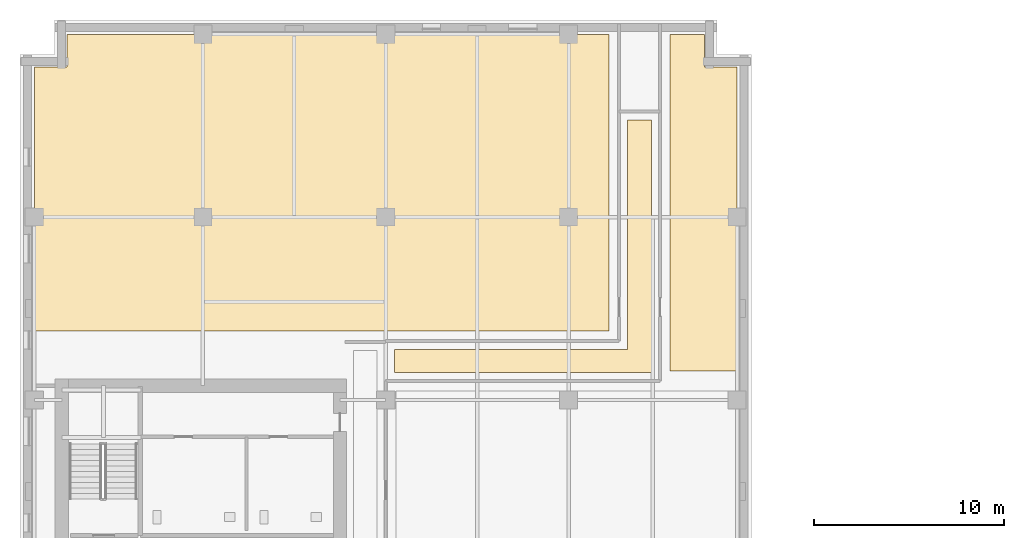
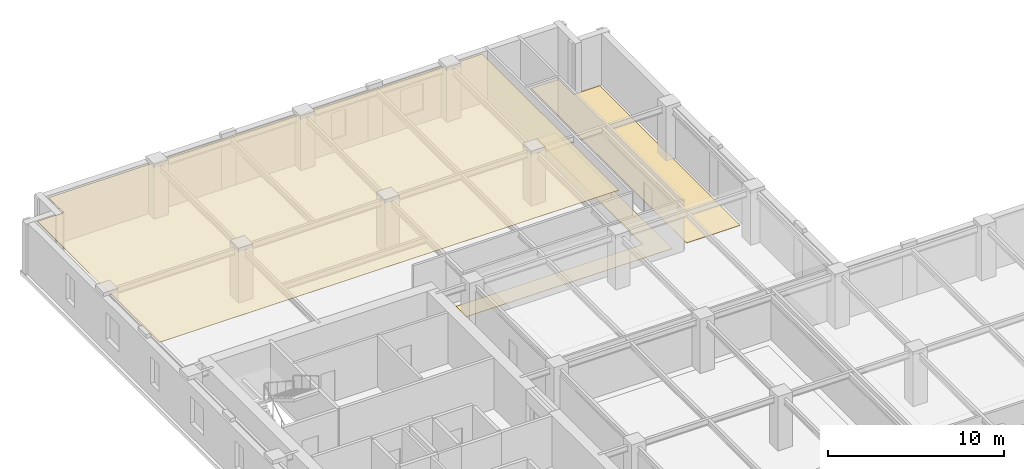
# One storey, part 12 of 13: 3 coverings.
"""IFC4 building model written with IfcOpenShell, lengths in metres."""

from ifc_helpers import new_model, si_unit, direction, frame, origin, place, context, subcontext, project, spatial, polyline, outline, extrude, material, layer, layer_set, type_object, element, save


model = new_model("IFC4")

# Units and contexts
model_context = context("Model", 3, precision=1e-05, world=origin(), true_north=direction((0.0, 1.0)))
body_context = subcontext(model_context, "Body", "Model", "MODEL_VIEW")
ifc_project = project(units=[si_unit("LENGTHUNIT", "METRE"), si_unit("AREAUNIT", "SQUARE_METRE"), si_unit("VOLUMEUNIT", "CUBIC_METRE"), si_unit("PLANEANGLEUNIT", "RADIAN"), si_unit("MASSUNIT", "GRAM", prefix="KILO")], contexts=[model_context])

# Site, building, storey
site_placement = place(None, origin())
site = spatial("IfcSite", under=ifc_project, at=site_placement, CompositionType="ELEMENT")
building_placement = place(site_placement, origin())
building = spatial("IfcBuilding", under=site, at=building_placement, Name="Norrvale University Quadrangle", CompositionType="ELEMENT")
storey_placement = place(building_placement, frame((0.0, 0.0, 159.800048828125)))
storey = spatial("IfcBuildingStorey", under=building, at=storey_placement, Name="L40", CompositionType="ELEMENT", Elevation=159.800048828125)

# Coverings
ifc_material_1 = material(Name="Perforated Acoustic Mineral Ceiling")
ifc_layer_1 = layer(ifc_material_1, 0.02490234375, Name="Perforated Acoustic Mineral Ceiling")
ifc_layer_set_1 = layer_set([ifc_layer_1], Name="Perforated Acoustic Mineral Ceiling")
covering_type_1 = type_object("IfcCoveringType", Name="Covering Acoustic Ceiling 25", PredefinedType="CEILING", material=ifc_layer_set_1)
covering_1_placement = place(storey_placement, frame((0.0, 0.0, 3.514892578125)))
element("IfcCovering", 1, at=covering_1_placement, inside=storey, type_object=covering_type_1, Name="Acoustic Ceiling RM-L40-NW01", PredefinedType="CEILING", context=body_context, shape_type="SweptSolid", body=[
    extrude(outline(polyline([(30.919921875, 66.449951171875), (30.919921875, 50.8798828125), (0.75, 50.8798828125), (0.75, 64.72998046875), (2.469970703125, 64.72998046875), (2.469970703125, 66.449951171875), (30.919921875, 66.449951171875)])), origin(), (0.0, 0.0, 1.0), 0.025146484375),
])
ifc_material_2 = material(Name="Polished Terrazzo Flooring")
ifc_layer_2 = layer(ifc_material_2, 0.02490234375, Name="Polished Terrazzo Flooring")
ifc_layer_set_2 = layer_set([ifc_layer_2], Name="Polished Terrazzo Flooring")
covering_type_2 = type_object("IfcCoveringType", Name="Covering Terrazzo Floor 30", PredefinedType="FLOORING", material=ifc_layer_set_2)
covering_2_placement = place(storey_placement, origin())
element("IfcCovering", 2, at=covering_2_placement, inside=storey, type_object=covering_type_2, Name="Terrazzo Flooring RM-L40-NCJOG", PredefinedType="FLOORING", context=body_context, shape_type="SweptSolid", body=[
    extrude(outline(polyline([(19.64990234375, 48.699951171875), (19.64990234375, 49.89990234375), (31.89990234375, 49.89990234375), (31.89990234375, 61.949951171875), (33.14990234375, 61.949951171875), (33.14990234375, 48.699951171875), (19.64990234375, 48.699951171875)])), origin(), (0.0, 0.0, 1.0), 0.02490234375),
])
covering_3_placement = place(storey_placement, origin())
element("IfcCovering", 3, at=covering_3_placement, inside=storey, type_object=covering_type_2, Name="Terrazzo Flooring RM-L40-NE01", PredefinedType="FLOORING", context=body_context, shape_type="SweptSolid", body=[
    extrude(outline(polyline([(37.64990234375, 48.780029296875), (34.1298828125, 48.780029296875), (34.1298828125, 66.449951171875), (35.929931640625, 66.449951171875), (35.929931640625, 64.72998046875), (37.64990234375, 64.72998046875), (37.64990234375, 48.780029296875)])), origin(), (0.0, 0.0, 1.0), 0.02490234375),
])

save(model, "model.ifc")
